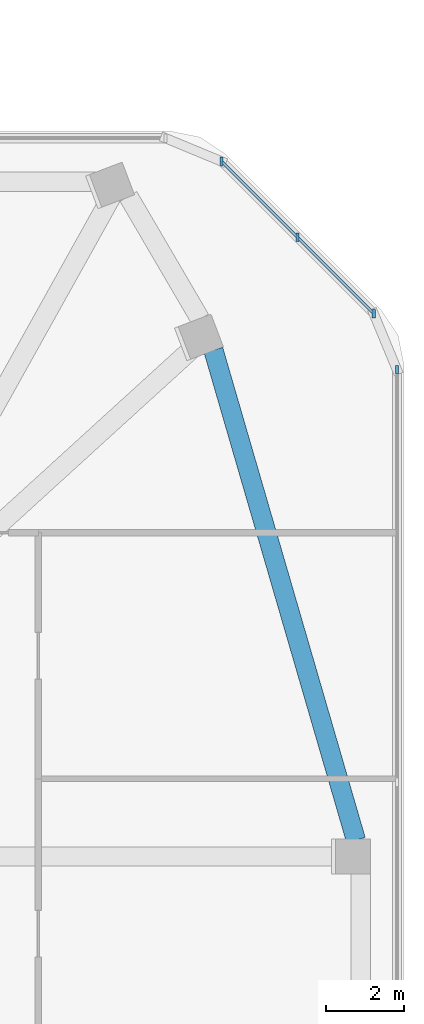
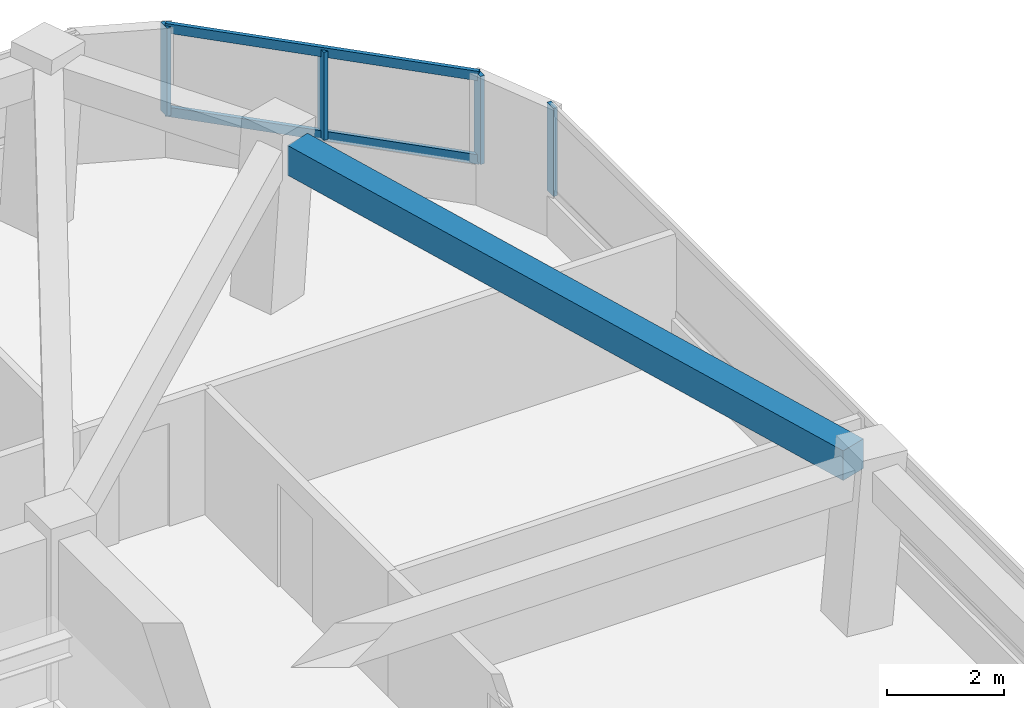
# One storey, part 6 of 13: 6 members, 1 beam, 2 elements without a shape of their own.
"""IFC4 building model written with IfcOpenShell, lengths in metres."""

from ifc_helpers import new_model, si_unit, derived_unit, direction, frame, origin, origin_2d, place, context, subcontext, project, spatial, rectangle, extrude, material, material_profile, profile_set, type_object, element, aggregate, save


model = new_model("IFC4")

# Units and contexts
model_context = context("Model", 3, precision=1e-05, world=origin(), true_north=direction((0.0, 1.0)))
body_context = subcontext(model_context, "Body", "Model", "MODEL_VIEW")
ifc_project = project(units=[si_unit("LENGTHUNIT", "METRE"), si_unit("AREAUNIT", "SQUARE_METRE"), si_unit("VOLUMEUNIT", "CUBIC_METRE"), si_unit("PLANEANGLEUNIT", "RADIAN"), si_unit("MASSUNIT", "GRAM", prefix="KILO"), derived_unit("THERMALTRANSMITTANCEUNIT", [(si_unit("POWERUNIT", "WATT"), 1), (si_unit("LENGTHUNIT", "METRE"), -2), (si_unit("THERMODYNAMICTEMPERATUREUNIT", "KELVIN"), -1)])], contexts=[model_context])

# Site, building, storey
site_placement = place(None, origin())
site = spatial("IfcSite", under=ifc_project, at=site_placement, CompositionType="ELEMENT")
building_placement = place(site_placement, origin())
building = spatial("IfcBuilding", under=site, at=building_placement, Name="Koralith Skygarden Medical Center", CompositionType="ELEMENT")
storey_placement = place(building_placement, frame((0.0, 0.0, 199.97998046875)))
storey = spatial("IfcBuildingStorey", under=building, at=storey_placement, Name="L51", CompositionType="ELEMENT", Elevation=199.97998046875)

# Curtain wall, member
ifc_material_1 = material(Name="Clear Laminated Glass", Category="glass")
curtain_wall_type = type_object("IfcCurtainWallType", Name="CW-5 Zone 4 Flare Biophilic Curtain Wall", PredefinedType="NOTDEFINED", material=ifc_material_1)
curtain_wall_1_placement = place(storey_placement, origin())
curtain_wall_1 = element("IfcCurtainWall", 1, at=curtain_wall_1_placement, inside=storey, type_object=curtain_wall_type, Name="Curtain Wall CW-L51-E", PredefinedType="NOTDEFINED")
ifc_material_2 = material(Name="Aluminium 6063-T6", Category="aluminium")
ifc_material_profile_1 = material_profile(ifc_material_2, rectangle(XDim=0.080078125, YDim=0.219970703125, at=origin_2d()), Name="MUL80X220")
ifc_profile_set_1 = profile_set([ifc_material_profile_1], Name="Aluminium 6063-T6")
member_type_1 = type_object("IfcMemberType", Name="CW-5 Extruded Mullion 80x220", PredefinedType="MULLION", material=ifc_profile_set_1)
member_1_placement = place(storey_placement, frame((62.14794921875, 41.85107421875, 0.85009765625), z_axis=(0.0, 0.0, 1.0), x_axis=(1.0, 0.0, 0.0)))
member_1 = element("IfcMember", 2, at=member_1_placement, type_object=member_type_1, Name="CW-L51-E Mullion 4", PredefinedType="MULLION", context=body_context, shape_type="SweptSolid", body=[
    extrude(rectangle(XDim=0.080078125, YDim=0.219970703125, at=origin_2d()), origin(), (0.0, 0.0, 1.0), 1.83984375),
])
aggregate(curtain_wall_1, [member_1])

# Curtain wall, members
curtain_wall_2_placement = place(storey_placement, origin())
curtain_wall_2 = element("IfcCurtainWall", 3, at=curtain_wall_2_placement, inside=storey, type_object=curtain_wall_type, Name="Curtain Wall CW-L51-NE", PredefinedType="NOTDEFINED")
member_2_placement = place(storey_placement, frame((61.547119140625, 43.302001953125, 0.85009765625), z_axis=(0.0, 0.0, 1.0), x_axis=(1.0, 0.0, 0.0)))
member_2 = element("IfcMember", 4, at=member_2_placement, type_object=member_type_1, Name="CW-L51-NE Mullion 1", PredefinedType="MULLION", context=body_context, shape_type="SweptSolid", body=[
    extrude(rectangle(XDim=0.080078125, YDim=0.219970703125, at=origin_2d()), origin(), (0.0, 0.0, 1.0), 1.83984375),
])
member_3_placement = place(storey_placement, frame((59.5859375, 45.263916015625, 0.85009765625), z_axis=(0.0, 0.0, 1.0), x_axis=(1.0, 0.0, 0.0)))
member_3 = element("IfcMember", 5, at=member_3_placement, type_object=member_type_1, Name="CW-L51-NE Mullion 2", PredefinedType="MULLION", context=body_context, shape_type="SweptSolid", body=[
    extrude(rectangle(XDim=0.080078125, YDim=0.219970703125, at=origin_2d()), origin(), (0.0, 0.0, 1.0), 1.83984375),
])
member_4_placement = place(storey_placement, frame((57.6240234375, 47.22509765625, 0.85009765625), z_axis=(0.0, 0.0, 1.0), x_axis=(1.0, 0.0, 0.0)))
member_4 = element("IfcMember", 6, at=member_4_placement, type_object=member_type_1, Name="CW-L51-NE Mullion 3", PredefinedType="MULLION", context=body_context, shape_type="SweptSolid", body=[
    extrude(rectangle(XDim=0.080078125, YDim=0.219970703125, at=origin_2d()), origin(), (0.0, 0.0, 1.0), 1.83984375),
])
ifc_material_profile_2 = material_profile(ifc_material_2, rectangle(XDim=0.074951171875, YDim=0.197998046875, at=origin_2d()), Name="TRN75X198")
ifc_profile_set_2 = profile_set([ifc_material_profile_2], Name="Aluminium 6063-T6")
member_type_2 = type_object("IfcMemberType", Name="CW-5 Thermal Transom 75x198", PredefinedType="USERDEFINED", material=ifc_profile_set_2)
member_5_placement = place(storey_placement, frame((61.547119140625, 43.302001953125, 0.89990234375), z_axis=(-0.707106781187, 0.707106781187, 0.0), x_axis=(-0.707106781187, -0.707106781187, 0.0)))
member_5 = element("IfcMember", 7, at=member_5_placement, type_object=member_type_2, Name="CW-L51-NE Transom 1", ObjectType="TRANSOM", PredefinedType="USERDEFINED", context=body_context, shape_type="SweptSolid", body=[
    extrude(rectangle(XDim=0.074951171875, YDim=0.197998046875, at=origin_2d()), origin(), (0.0, 0.0, 1.0), 5.548095703125),
])
member_6_placement = place(storey_placement, frame((61.547119140625, 43.302001953125, 2.64013671875), z_axis=(-0.707106781187, 0.707106781187, 0.0), x_axis=(-0.707106781187, -0.707106781187, 0.0)))
member_6 = element("IfcMember", 8, at=member_6_placement, type_object=member_type_2, Name="CW-L51-NE Transom 2", ObjectType="TRANSOM", PredefinedType="USERDEFINED", context=body_context, shape_type="SweptSolid", body=[
    extrude(rectangle(XDim=0.074951171875, YDim=0.197998046875, at=origin_2d()), origin(), (0.0, 0.0, 1.0), 5.548095703125),
])
aggregate(curtain_wall_2, [member_2, member_3, member_4, member_5, member_6])

# Beam
ifc_material_3 = material(Name="Concrete C45/55", Category="concrete")
ifc_material_profile_3 = material_profile(ifc_material_3, rectangle(XDim=0.5, YDim=0.6201171875, at=origin_2d()), Name="RCB500X620")
ifc_profile_set_3 = profile_set([ifc_material_profile_3], Name="Concrete C45/55")
beam_type = type_object("IfcBeamType", Name="Zone 4-5 Spandrel Beam RCB500X620", PredefinedType="SPANDREL", material=ifc_profile_set_3)
beam_placement = place(storey_placement, frame((61.087890625, 29.721923828125, 3.010009765625), z_axis=(-0.27923127108, 0.960223878713, 0.0), x_axis=(-0.960223878713, -0.27923127108, 0.0)))
element("IfcBeam", 9, at=beam_placement, inside=storey, type_object=beam_type, Name="L51 Perimeter Spandrel Beam SP-09", PredefinedType="SPANDREL", context=body_context, shape_type="SweptSolid", body=[
    extrude(rectangle(XDim=0.5, YDim=0.6201171875, at=origin_2d()), origin(), (0.0, 0.0, 1.0), 13.160400390625),
])

save(model, "model.ifc")
